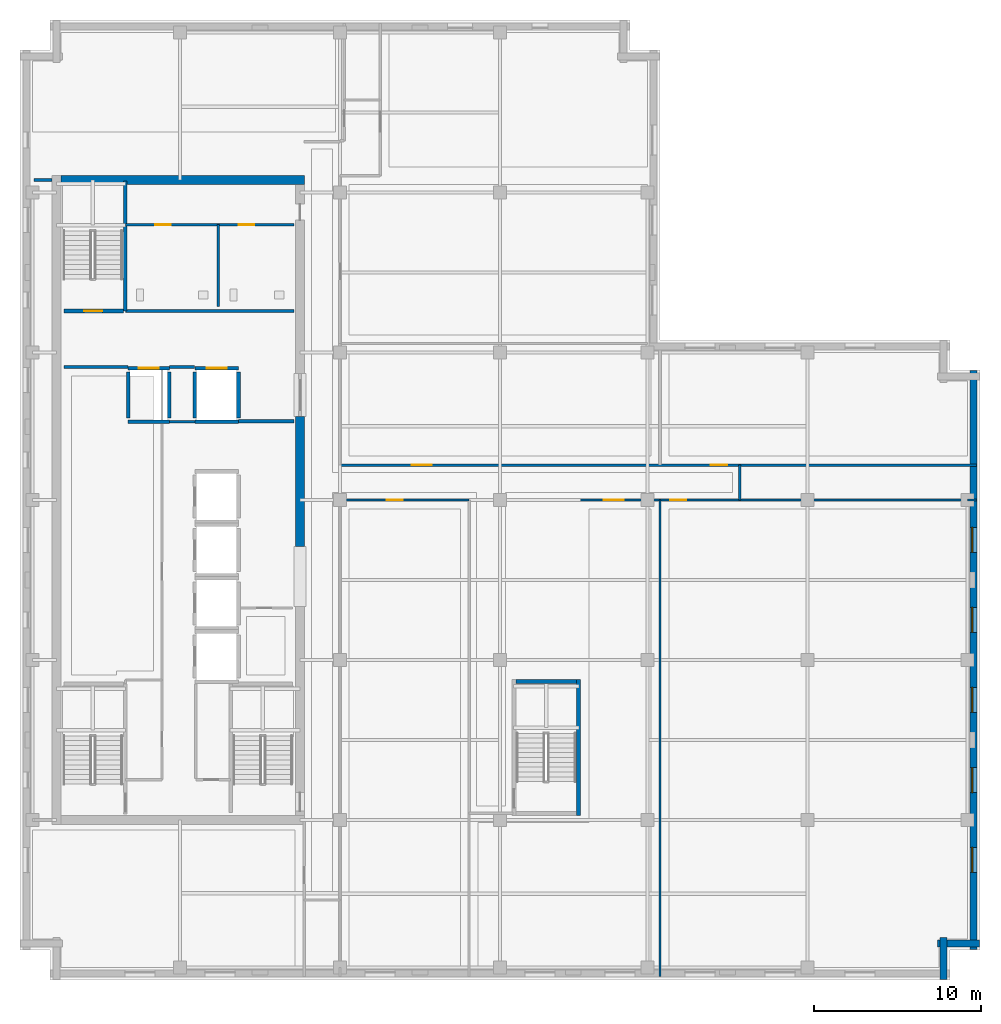
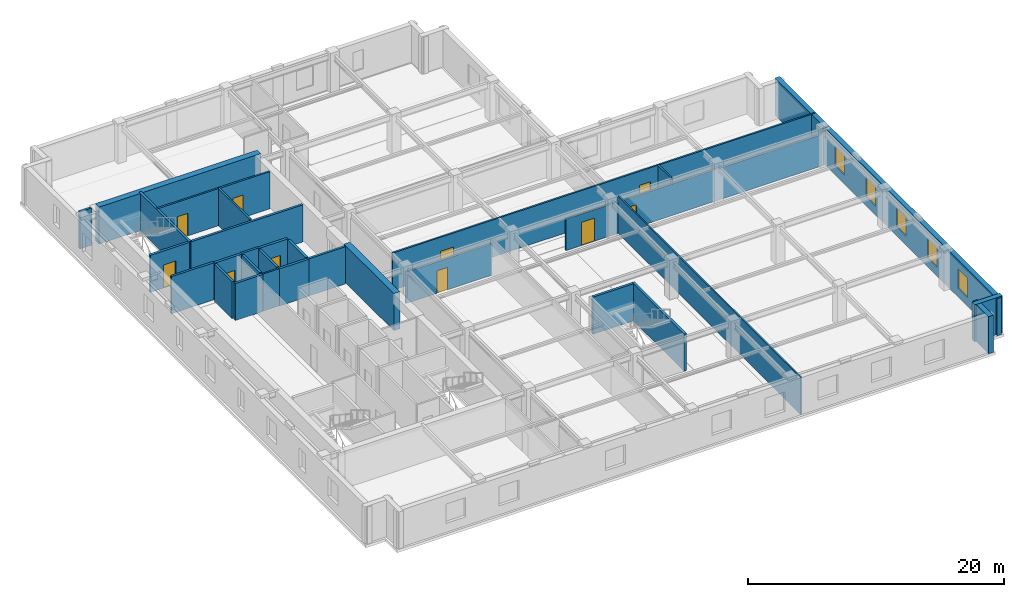
# One storey, part 5 of 12: 31 walls, 10 doors, 5 windows, 15 openings.
"""IFC4 building model written with IfcOpenShell, lengths in metres."""

import ifcopenshell
import ifcopenshell.guid

model = None  # the IFC model being written
_history = None  # IfcOwnerHistory: only IFC2X3 demands one
_inside = {}  # id of a spatial element -> (the spatial element, [elements in it])
_under = {}  # id of a project, library or spatial element -> (it, [spatial elements below it])
_declared = {}  # id of a project -> (the project, [libraries it declares])
_typed = {}  # id of a type object -> (the type object, [elements of that type])
_made_of = {}  # id of a material, layer set ... -> (it, [elements and type objects made of it])


def new_model(schema):
    """Start an empty IFC model of exactly this schema.

    Asked for "IFC4X3", IfcOpenShell would pick the latest addendum, in which some entities
    have other attributes; the version numbers below select the first issue.
    IFC2X3 requires an IfcOwnerHistory on every rooted entity: one is made here for all.
    """
    global model, _history
    if schema == "IFC4X3":
        model = ifcopenshell.file(schema_version=(4, 3, 0, 0))
    else:
        model = ifcopenshell.file(schema=schema)
    _inside.clear()
    _under.clear()
    _declared.clear()
    _typed.clear()
    _made_of.clear()
    _history = None
    if model.schema == "IFC2X3":
        org = make("IfcOrganization", Name="unknown")
        user = make(
            "IfcPersonAndOrganization",
            ThePerson=make("IfcPerson", FamilyName="unknown"),
            TheOrganization=org,
        )
        app = make(
            "IfcApplication",
            ApplicationDeveloper=org,
            Version="unknown",
            ApplicationFullName="unknown",
            ApplicationIdentifier="unknown",
        )
        _history = make(
            "IfcOwnerHistory",
            OwningUser=user,
            OwningApplication=app,
            ChangeAction="ADDED",
            CreationDate=0,
        )
    return model


def make(cls, **values):
    """One entity of the class cls with the attributes given. An attribute that is None is left unset."""
    return model.create_entity(
        cls, **{name: value for name, value in values.items() if value is not None}
    )


def rooted(cls, **values):
    """An entity with a GlobalId (a new one), such as an element, a storey or a relation."""
    return make(cls, GlobalId=ifcopenshell.guid.new(), OwnerHistory=_history, **values)


def si_unit(unit_type, name, prefix=None):
    """IfcSIUnit, for example si_unit("LENGTHUNIT", "METRE", prefix="MILLI")."""
    return make("IfcSIUnit", UnitType=unit_type, Prefix=prefix, Name=name)


def assignment(units):
    """IfcUnitAssignment: the units of a project."""
    return None if units is None else make("IfcUnitAssignment", Units=units)


def point(xyz):
    """IfcCartesianPoint."""
    return None if xyz is None else make("IfcCartesianPoint", Coordinates=xyz)


def direction(xyz):
    """IfcDirection."""
    return None if xyz is None else make("IfcDirection", DirectionRatios=xyz)


def frame(location, z_axis=None, x_axis=None):
    """IfcAxis2Placement3D, a coordinate frame: its origin and axes. An axis left out is left unset."""
    return make(
        "IfcAxis2Placement3D",
        Location=point(location),
        Axis=direction(z_axis),
        RefDirection=direction(x_axis),
    )


def frame_2d(location, x_axis=None):
    """IfcAxis2Placement2D, a coordinate frame in the plane: its origin and x axis."""
    return make(
        "IfcAxis2Placement2D", Location=point(location), RefDirection=direction(x_axis)
    )


def origin():
    """The frame at (0, 0, 0) with its axes left unset."""
    return frame((0.0, 0.0, 0.0))


def place(relative_to, where):
    """IfcLocalPlacement: puts the frame where relative to a parent placement (None: the world)."""
    return make(
        "IfcLocalPlacement", PlacementRelTo=relative_to, RelativePlacement=where
    )


def context(
    kind, dimensions, precision=None, world=None, true_north=None, identifier=None
):
    """IfcGeometricRepresentationContext, for example the 3D "Model" context."""
    return make(
        "IfcGeometricRepresentationContext",
        ContextIdentifier=identifier,
        ContextType=kind,
        CoordinateSpaceDimension=dimensions,
        Precision=precision,
        WorldCoordinateSystem=world,
        TrueNorth=true_north,
    )


def subcontext(parent, identifier, kind, view, scale=None):
    """IfcGeometricRepresentationSubContext, for example "Body" below "Model"."""
    return make(
        "IfcGeometricRepresentationSubContext",
        ContextIdentifier=identifier,
        ContextType=kind,
        ParentContext=parent,
        TargetScale=scale,
        TargetView=view,
    )


def project(units=None, contexts=None):
    """IfcProject with its units and contexts."""
    return rooted(
        "IfcProject",
        Name="project",
        RepresentationContexts=contexts,
        UnitsInContext=assignment(units),
    )


def spatial(cls, under=None, at=None, **own):
    """A site, building, storey or space (cls), placed at a placement, below another one or the project."""
    s = rooted(cls, ObjectPlacement=at, **own)
    if under is not None:
        _under.setdefault(under.id(), (under, []))[1].append(s)
    return s


def profile(cls, at=None, kind="AREA", **sizes):
    """A parametric profile (cls). Its sizes go by their IFC names, for example OverallWidth=200.0."""
    return make(cls, ProfileType=kind, Position=at, **sizes)


def rectangle(**sizes):
    """IfcRectangleProfileDef."""
    return profile("IfcRectangleProfileDef", **sizes)


def extrude(swept, where, along, depth):
    """IfcExtrudedAreaSolid: the profile swept, set in the frame where, extruded along a direction by depth."""
    return make(
        "IfcExtrudedAreaSolid",
        SweptArea=swept,
        Position=where,
        ExtrudedDirection=direction(along),
        Depth=depth,
    )


def shape(context_of_items, identifier, shape_type, items):
    """IfcShapeRepresentation: the items that make up one representation, for example the "Body"."""
    return make(
        "IfcShapeRepresentation",
        ContextOfItems=context_of_items,
        RepresentationIdentifier=identifier,
        RepresentationType=shape_type,
        Items=items,
    )


def material(Name=None, Category=None):
    """IfcMaterial."""
    return make("IfcMaterial", Name=Name, Category=Category)


def layer(
    of_material, thickness, ventilated=None, Name=None, Category=None, Priority=None
):
    """IfcMaterialLayer: one layer of a wall or slab, of a material (None: an air gap)."""
    return make(
        "IfcMaterialLayer",
        Material=of_material,
        LayerThickness=thickness,
        IsVentilated=ventilated,
        Name=Name,
        Category=Category,
        Priority=Priority,
    )


def layer_set(layers, Name=None):
    """IfcMaterialLayerSet."""
    return make("IfcMaterialLayerSet", MaterialLayers=layers, LayerSetName=Name)


def made_of(thing, what):
    """Note that an element or type object is made of a material, layer set ...; save() writes the relation."""
    if what is not None:
        _made_of.setdefault(what.id(), (what, []))[1].append(thing)
    return thing


def type_object(cls, material=None, **own):
    """A type object (cls), such as IfcWallType, which elements share."""
    return made_of(rooted(cls, **own), material)


def element(
    cls,
    number,
    at=None,
    inside=None,
    cuts=None,
    type_object=None,
    material=None,
    context=None,
    identifier="Body",
    shape_type=None,
    held_by="IfcProductDefinitionShape",
    body=None,
    shapes=None,
    **own,
):
    """One element of the class cls, such as IfcWall. Its Tag is "e" and its number.

    at: its placement. inside: the storey or other place that contains it. cuts: it is an
    opening in that element (IfcRelVoidsElement). A single representation is given by context,
    identifier, shape_type and body (its items); several are given by shapes. held_by: the class
    of the entity that holds the representations. save() writes the other relations.
    """
    e = rooted(cls, Tag="e%d" % number, ObjectPlacement=at, **own)
    if body is not None:
        shapes = [shape(context, identifier, shape_type, body)]
    if shapes is not None:
        e.Representation = make(held_by, Representations=shapes)
    if inside is not None:
        _inside.setdefault(inside.id(), (inside, []))[1].append(e)
    if cuts is not None:
        rooted(
            "IfcRelVoidsElement", RelatingBuildingElement=cuts, RelatedOpeningElement=e
        )
    if type_object is not None:
        _typed.setdefault(type_object.id(), (type_object, []))[1].append(e)
    return made_of(e, material)


def fill(opening, filler):
    """IfcRelFillsElement: the door or window that sits in an opening."""
    return rooted(
        "IfcRelFillsElement",
        RelatingOpeningElement=opening,
        RelatedBuildingElement=filler,
    )


def aggregate(whole, parts):
    """IfcRelAggregates: a whole, such as a stair, and the parts it consists of."""
    return rooted("IfcRelAggregates", RelatingObject=whole, RelatedObjects=parts)


def save(model, path):
    """Write the relations noted so far, then the file.

    IfcRelAggregates (storeys below a building ...), IfcRelContainedInSpatialStructure (elements
    in a storey), IfcRelDefinesByType, IfcRelAssociatesMaterial and IfcRelDeclares: one each for
    every whole, place, type object, material and project.
    """
    for whole, parts in _under.values():
        aggregate(whole, parts)
    for where, things in _inside.values():
        rooted(
            "IfcRelContainedInSpatialStructure",
            RelatedElements=things,
            RelatingStructure=where,
        )
    for kind, things in _typed.values():
        rooted("IfcRelDefinesByType", RelatedObjects=things, RelatingType=kind)
    for what, things in _made_of.values():
        rooted("IfcRelAssociatesMaterial", RelatedObjects=things, RelatingMaterial=what)
    for by, libraries in _declared.values():
        rooted("IfcRelDeclares", RelatingContext=by, RelatedDefinitions=libraries)
    model.write(path)


model = new_model("IFC4")

# Units and contexts
model_context = context("Model", 3, precision=1e-05, world=origin(), true_north=direction((0.0, 1.0)))
body_context = subcontext(model_context, "Body", "Model", "MODEL_VIEW")
ifc_project = project(units=[si_unit("LENGTHUNIT", "METRE"), si_unit("AREAUNIT", "SQUARE_METRE"), si_unit("VOLUMEUNIT", "CUBIC_METRE"), si_unit("PLANEANGLEUNIT", "RADIAN"), si_unit("MASSUNIT", "GRAM", prefix="KILO")], contexts=[model_context])

# Site, building, storey
site_placement = place(None, origin())
site = spatial("IfcSite", under=ifc_project, at=site_placement, CompositionType="ELEMENT")
building_placement = place(site_placement, origin())
building = spatial("IfcBuilding", under=site, at=building_placement, Name="Norrvale University Quadrangle", CompositionType="ELEMENT")
storey_placement = place(building_placement, frame((0.0, 0.0, 244.60009765625)))
storey = spatial("IfcBuildingStorey", under=building, at=storey_placement, Name="L62", CompositionType="ELEMENT", Elevation=244.60009765625)

# Walls
ifc_material_1 = material(Name="Buff Norman Clay Brick Masonry", Category="masonry")
ifc_layer_1 = layer(ifc_material_1, 0.419921875, Name="Buff Norman Clay Brick Masonry")
ifc_layer_set_1 = layer_set([ifc_layer_1], Name="Buff Norman Clay Brick Masonry")
wall_type_1 = type_object("IfcWallType", Name="Wall Buff Brick 420", PredefinedType="SOLIDWALL", material=ifc_layer_set_1)
for number, where, z_axis, x_axis, name in (
    (1, (55.409912109375, 0.0400390625, 0.0), (0.0, 0.0, 1.0), (0.0, 1.0, 0.0), "Exterior Brick Facade Wall L62-02.1"),
    (2, (55.06005859375, 2.18994140625, 0.0), (0.0, 0.0, 1.0), (1.0, 0.0, 0.0), "Exterior Brick Facade Wall L62-03.1"),
):
    element("IfcWall", number, at=place(storey_placement, frame(where, z_axis=z_axis, x_axis=x_axis)), inside=storey, type_object=wall_type_1, Name=name, PredefinedType="SOLIDWALL", context=body_context, shape_type="SweptSolid", body=[
        extrude(rectangle(XDim=2.5, YDim=0.419921875, at=frame_2d((1.25, 0.0))), origin(), (0.0, 0.0, 1.0), 3.539794921875),
    ])

# Wall, openings, windows
wall_1_placement = place(storey_placement, frame((57.2099609375, 1.840087890625, 0.0), z_axis=(0.0, 0.0, 1.0), x_axis=(0.0, 1.0, 0.0)))
wall_1 = element("IfcWall", 3, at=wall_1_placement, inside=storey, type_object=wall_type_1, Name="Exterior Brick Facade Wall L62-04.1", PredefinedType="SOLIDWALL", context=body_context, shape_type="SweptSolid", body=[
    extrude(rectangle(XDim=34.719970703125, YDim=0.419921875, at=frame_2d((17.35986328125, 0.0))), origin(), (0.0, 0.0, 1.0), 3.539794921875),
])
opening_1_placement = place(wall_1_placement, frame((4.610107421875, 0.0, 0.85009765625)))
opening_1 = element("IfcOpeningElement", 4, at=opening_1_placement, cuts=wall_1, Name="Opening W03", PredefinedType="OPENING", context=body_context, shape_type="SweptSolid", body=[
    extrude(rectangle(XDim=1.5, YDim=1.85009765625, at=frame_2d((0.75, 0.925048828125))), frame((0.0, 0.221923828125, 0.0), z_axis=(0.0, -1.0, 0.0), x_axis=(1.0, 0.0, 0.0)), (0.0, 0.0, 1.0), 0.44384765625),
])
opening_2_placement = place(wall_1_placement, frame((9.409912109375, 0.0, 0.85009765625)))
opening_2 = element("IfcOpeningElement", 5, at=opening_2_placement, cuts=wall_1, Name="Opening W03", PredefinedType="OPENING", context=body_context, shape_type="SweptSolid", body=[
    extrude(rectangle(XDim=1.5, YDim=1.85009765625, at=frame_2d((0.75, 0.925048828125))), frame((0.0, 0.221923828125, 0.0), z_axis=(0.0, -1.0, 0.0), x_axis=(1.0, 0.0, 0.0)), (0.0, 0.0, 1.0), 0.44384765625),
])
opening_3_placement = place(wall_1_placement, frame((14.2099609375, 0.0, 0.85009765625)))
opening_3 = element("IfcOpeningElement", 6, at=opening_3_placement, cuts=wall_1, Name="Opening W03", PredefinedType="OPENING", context=body_context, shape_type="SweptSolid", body=[
    extrude(rectangle(XDim=1.5, YDim=1.85009765625, at=frame_2d((0.75, 0.925048828125))), frame((0.0, 0.221923828125, 0.0), z_axis=(0.0, -1.0, 0.0), x_axis=(1.0, 0.0, 0.0)), (0.0, 0.0, 1.0), 0.44384765625),
])
opening_4_placement = place(wall_1_placement, frame((19.010009765625, 0.0, 0.85009765625)))
opening_4 = element("IfcOpeningElement", 7, at=opening_4_placement, cuts=wall_1, Name="Opening W03", PredefinedType="OPENING", context=body_context, shape_type="SweptSolid", body=[
    extrude(rectangle(XDim=1.5, YDim=1.85009765625, at=frame_2d((0.75, 0.925048828125))), frame((0.0, 0.221923828125, 0.0), z_axis=(0.0, -1.0, 0.0), x_axis=(1.0, 0.0, 0.0)), (0.0, 0.0, 1.0), 0.44384765625),
])
opening_5_placement = place(wall_1_placement, frame((23.81005859375, 0.0, 0.85009765625)))
opening_5 = element("IfcOpeningElement", 8, at=opening_5_placement, cuts=wall_1, Name="Opening W03", PredefinedType="OPENING", context=body_context, shape_type="SweptSolid", body=[
    extrude(rectangle(XDim=1.5, YDim=1.85009765625, at=frame_2d((0.75, 0.925048828125))), frame((0.0, 0.221923828125, 0.0), z_axis=(0.0, -1.0, 0.0), x_axis=(1.0, 0.0, 0.0)), (0.0, 0.0, 1.0), 0.44384765625),
])
ifc_material_2 = material(Name="Triple Low-E Argon Glazing", Category="glass")
window_type = type_object("IfcWindowType", Name="Window Studio 1500x2300", PartitioningType="DOUBLE_PANEL_VERTICAL", PredefinedType="WINDOW", material=ifc_material_2)
window_1_placement = place(opening_1_placement, origin())
window_1 = element("IfcWindow", 9, at=window_1_placement, inside=storey, type_object=window_type, Name="Window Studio 1500x2300 WIN-L62-E04-1-01", OverallHeight=1.85009765625, OverallWidth=1.5, PartitioningType="DOUBLE_PANEL_VERTICAL", PredefinedType="WINDOW", context=body_context, shape_type="SweptSolid", body=[
    extrude(rectangle(XDim=1.5, YDim=1.85009765625, at=frame_2d((0.75, 0.925048828125))), frame((0.0, 0.110107421875, 0.0), z_axis=(0.0, -1.0, 0.0), x_axis=(1.0, 0.0, 0.0)), (0.0, 0.0, 1.0), 0.06005859375),
])
fill(opening_1, window_1)
window_2_placement = place(opening_2_placement, origin())
window_2 = element("IfcWindow", 10, at=window_2_placement, inside=storey, type_object=window_type, Name="Window Studio 1500x2300 WIN-L62-E04-1-02", OverallHeight=1.85009765625, OverallWidth=1.5, PartitioningType="DOUBLE_PANEL_VERTICAL", PredefinedType="WINDOW", context=body_context, shape_type="SweptSolid", body=[
    extrude(rectangle(XDim=1.5, YDim=1.85009765625, at=frame_2d((0.75, 0.925048828125))), frame((0.0, 0.110107421875, 0.0), z_axis=(0.0, -1.0, 0.0), x_axis=(1.0, 0.0, 0.0)), (0.0, 0.0, 1.0), 0.06005859375),
])
fill(opening_2, window_2)
window_3_placement = place(opening_3_placement, origin())
window_3 = element("IfcWindow", 11, at=window_3_placement, inside=storey, type_object=window_type, Name="Window Studio 1500x2300 WIN-L62-E04-1-03", OverallHeight=1.85009765625, OverallWidth=1.5, PartitioningType="DOUBLE_PANEL_VERTICAL", PredefinedType="WINDOW", context=body_context, shape_type="SweptSolid", body=[
    extrude(rectangle(XDim=1.5, YDim=1.85009765625, at=frame_2d((0.75, 0.925048828125))), frame((0.0, 0.110107421875, 0.0), z_axis=(0.0, -1.0, 0.0), x_axis=(1.0, 0.0, 0.0)), (0.0, 0.0, 1.0), 0.06005859375),
])
fill(opening_3, window_3)
window_4_placement = place(opening_4_placement, origin())
window_4 = element("IfcWindow", 12, at=window_4_placement, inside=storey, type_object=window_type, Name="Window Studio 1500x2300 WIN-L62-E04-1-04", OverallHeight=1.85009765625, OverallWidth=1.5, PartitioningType="DOUBLE_PANEL_VERTICAL", PredefinedType="WINDOW", context=body_context, shape_type="SweptSolid", body=[
    extrude(rectangle(XDim=1.5, YDim=1.85009765625, at=frame_2d((0.75, 0.925048828125))), frame((0.0, 0.110107421875, 0.0), z_axis=(0.0, -1.0, 0.0), x_axis=(1.0, 0.0, 0.0)), (0.0, 0.0, 1.0), 0.06005859375),
])
fill(opening_4, window_4)
window_5_placement = place(opening_5_placement, origin())
window_5 = element("IfcWindow", 13, at=window_5_placement, inside=storey, type_object=window_type, Name="Window Studio 1500x2300 WIN-L62-E04-1-05", OverallHeight=1.85009765625, OverallWidth=1.5, PartitioningType="DOUBLE_PANEL_VERTICAL", PredefinedType="WINDOW", context=body_context, shape_type="SweptSolid", body=[
    extrude(rectangle(XDim=1.5, YDim=1.85009765625, at=frame_2d((0.75, 0.925048828125))), frame((0.0, 0.110107421875, 0.0), z_axis=(0.0, -1.0, 0.0), x_axis=(1.0, 0.0, 0.0)), (0.0, 0.0, 1.0), 0.06005859375),
])
fill(opening_5, window_5)

# Walls
ifc_material_3 = material(Name="Concrete C60/75", Category="concrete")
ifc_layer_2 = layer(ifc_material_3, 0.550048828125, Name="Concrete C60/75")
ifc_layer_set_2 = layer_set([ifc_layer_2], Name="Concrete C60/75")
wall_type_2 = type_object("IfcWallType", Name="Wall Core 550", PredefinedType="SHEAR", material=ifc_layer_set_2)
wall_2_placement = place(storey_placement, frame((2.47509765625, 48.0, 0.0), z_axis=(0.0, 0.0, 1.0), x_axis=(1.0, 0.0, 0.0)))
element("IfcWall", 14, at=wall_2_placement, inside=storey, type_object=wall_type_2, Name="Tower Core Shear Wall L62-N", PredefinedType="SHEAR", context=body_context, shape_type="SweptSolid", body=[
    extrude(rectangle(XDim=14.599853515625, YDim=0.550048828125, at=frame_2d((7.2998046875, 0.0))), origin(), (0.0, 0.0, 1.0), 3.539794921875),
])
wall_3_placement = place(storey_placement, frame((16.800048828125, 26.0, 0.0), z_axis=(0.0, 0.0, 1.0), x_axis=(0.0, 1.0, 0.0)))
element("IfcWall", 15, at=wall_3_placement, inside=storey, type_object=wall_type_2, Name="Tower Core Shear Wall L62-E2", PredefinedType="SHEAR", context=body_context, shape_type="SweptSolid", body=[
    extrude(rectangle(XDim=7.800048828125, YDim=0.550048828125, at=frame_2d((3.89990234375, 0.0))), origin(), (0.0, 0.0, 1.0), 3.539794921875),
])
ifc_material_4 = material(Name="Standard Academic Gypsum Partition")
ifc_layer_3 = layer(ifc_material_4, 0.125, Name="Standard Academic Gypsum Partition")
ifc_layer_set_3 = layer_set([ifc_layer_3], Name="Standard Academic Gypsum Partition")
wall_type_3 = type_object("IfcWallType", Name="Wall Gypsum Academic 125", PredefinedType="PARTITIONING", material=ifc_layer_set_3)
wall_4_placement = place(storey_placement, frame((38.39990234375, 0.219970703125, 0.0), z_axis=(0.0, 0.0, 1.0), x_axis=(0.0, 1.0, 0.0)))
element("IfcWall", 16, at=wall_4_placement, inside=storey, type_object=wall_type_3, Name="Interior Partition WL-L62-SEP2", PredefinedType="PARTITIONING", context=body_context, shape_type="SweptSolid", body=[
    extrude(rectangle(XDim=28.580078125, YDim=0.125, at=frame_2d((14.2900390625, 0.0))), origin(), (0.0, 0.0, 1.0), 3.539794921875),
])
ifc_material_5 = material(Name="Fire-Rated Gypsum Stud Partition")
ifc_layer_4 = layer(ifc_material_5, 0.14990234375, Name="Fire-Rated Gypsum Stud Partition")
ifc_layer_set_4 = layer_set([ifc_layer_4], Name="Fire-Rated Gypsum Stud Partition")
wall_type_4 = type_object("IfcWallType", Name="Wall Gypsum Corridor 150", PredefinedType="PARTITIONING", material=ifc_layer_set_4)
wall_5_placement = place(storey_placement, frame((8.965087890625, 33.489990234375, 0.0), z_axis=(0.0, 0.0, 1.0), x_axis=(1.0, 0.0, 0.0)))
element("IfcWall", 17, at=wall_5_placement, inside=storey, type_object=wall_type_4, Name="Interior Partition WL-L62-LL3", PredefinedType="PARTITIONING", context=body_context, shape_type="SweptSolid", body=[
    extrude(rectangle(XDim=1.52001953125, YDim=0.14990234375, at=frame_2d((0.760009765625, 0.0))), origin(), (0.0, 0.0, 1.0), 3.539794921875),
])
wall_6_placement = place(storey_placement, frame((43.199951171875, 28.800048828125, 0.0), z_axis=(0.0, 0.0, 1.0), x_axis=(0.0, 1.0, 0.0)))
element("IfcWall", 18, at=wall_6_placement, inside=storey, type_object=wall_type_4, Name="Interior Partition WL-L62-CESP-E", PredefinedType="PARTITIONING", context=body_context, shape_type="SweptSolid", body=[
    extrude(rectangle(XDim=2.099853515625, YDim=0.14990234375, at=frame_2d((1.0498046875, 0.0))), origin(), (0.0, 0.0, 1.0), 3.539794921875),
])

# Wall, opening, door
wall_7_placement = place(storey_placement, frame((19.199951171875, 28.800048828125, 0.0), z_axis=(0.0, 0.0, 1.0), x_axis=(1.0, 0.0, 0.0)))
wall_7 = element("IfcWall", 19, at=wall_7_placement, inside=storey, type_object=wall_type_4, Name="Interior Partition WL-L62-SEW1", PredefinedType="PARTITIONING", context=body_context, shape_type="SweptSolid", body=[
    extrude(rectangle(XDim=7.75, YDim=0.14990234375, at=frame_2d((3.875, 0.0))), origin(), (0.0, 0.0, 1.0), 3.0068359375),
])
opening_6_placement = place(wall_7_placement, frame((2.800048828125, 0.0, 0.0)))
opening_6 = element("IfcOpeningElement", 20, at=opening_6_placement, cuts=wall_7, Name="Opening D07", PredefinedType="OPENING", context=body_context, shape_type="SweptSolid", body=[
    extrude(rectangle(XDim=0.949951171875, YDim=2.14990234375, at=frame_2d((0.47509765625, 1.074951171875))), frame((0.0, 0.0869140625, 0.0), z_axis=(0.0, -1.0, 0.0), x_axis=(1.0, 0.0, 0.0)), (0.0, 0.0, 1.0), 0.173828125),
])
ifc_material_6 = material(Name="Solid-Core Maple Door", Category="wood")
door_type_1 = type_object("IfcDoorType", Name="Door Office 950x2150", OperationType="NOTDEFINED", PredefinedType="DOOR", material=ifc_material_6)
door_1_placement = place(opening_6_placement, origin())
door_1 = element("IfcDoor", 21, at=door_1_placement, inside=storey, type_object=door_type_1, Name="Door Office 950x2150 DR-L62-SE1", OperationType="SINGLE_SWING_LEFT", OverallHeight=2.14990234375, OverallWidth=0.949951171875, PredefinedType="DOOR", context=body_context, shape_type="SweptSolid", body=[
    extrude(rectangle(XDim=0.949951171875, YDim=2.14990234375, at=frame_2d((0.47509765625, 1.074951171875))), frame((0.0, 0.02490234375, 0.0), z_axis=(0.0, -1.0, 0.0), x_axis=(1.0, 0.0, 0.0)), (0.0, 0.0, 1.0), 0.050048828125),
])
fill(opening_6, door_1)

# Wall, openings, doors
wall_8_placement = place(storey_placement, frame((33.6201171875, 28.800048828125, 0.0), z_axis=(0.0, 0.0, 1.0), x_axis=(1.0, 0.0, 0.0)))
wall_8 = element("IfcWall", 22, at=wall_8_placement, inside=storey, type_object=wall_type_4, Name="Interior Partition WL-L62-SEW2", PredefinedType="PARTITIONING", context=body_context, shape_type="SweptSolid", body=[
    extrude(rectangle(XDim=23.22998046875, YDim=0.14990234375, at=frame_2d((11.614990234375, 0.0))), origin(), (0.0, 0.0, 1.0), 3.0068359375),
])
opening_7_placement = place(wall_8_placement, frame((1.39990234375, 0.0, 0.0)))
opening_7 = element("IfcOpeningElement", 23, at=opening_7_placement, cuts=wall_8, Name="Opening D05", PredefinedType="OPENING", context=body_context, shape_type="SweptSolid", body=[
    extrude(rectangle(XDim=1.199951171875, YDim=2.199951171875, at=frame_2d((0.60009765625, 1.10009765625))), frame((0.0, 0.0869140625, 0.0), z_axis=(0.0, -1.0, 0.0), x_axis=(1.0, 0.0, 0.0)), (0.0, 0.0, 1.0), 0.173828125),
])
opening_8_placement = place(wall_8_placement, frame((5.39990234375, 0.0, 0.0)))
opening_8 = element("IfcOpeningElement", 24, at=opening_8_placement, cuts=wall_8, Name="Opening D07", PredefinedType="OPENING", context=body_context, shape_type="SweptSolid", body=[
    extrude(rectangle(XDim=0.949951171875, YDim=2.14990234375, at=frame_2d((0.47509765625, 1.074951171875))), frame((0.0, 0.0869140625, 0.0), z_axis=(0.0, -1.0, 0.0), x_axis=(1.0, 0.0, 0.0)), (0.0, 0.0, 1.0), 0.173828125),
])
ifc_material_7 = material(Name="Acoustic Oak Classroom Door", Category="wood")
door_type_2 = type_object("IfcDoorType", Name="Door Classroom 1200x2200", OperationType="NOTDEFINED", PredefinedType="DOOR", material=ifc_material_7)
door_2_placement = place(opening_7_placement, origin())
door_2 = element("IfcDoor", 25, at=door_2_placement, inside=storey, type_object=door_type_2, Name="Door Classroom 1200x2200 DR-L62-SE2", OperationType="SINGLE_SWING_RIGHT", OverallHeight=2.199951171875, OverallWidth=1.199951171875, PredefinedType="DOOR", context=body_context, shape_type="SweptSolid", body=[
    extrude(rectangle(XDim=1.199951171875, YDim=2.199951171875, at=frame_2d((0.60009765625, 1.10009765625))), frame((0.0, 0.02490234375, 0.0), z_axis=(0.0, -1.0, 0.0), x_axis=(1.0, 0.0, 0.0)), (0.0, 0.0, 1.0), 0.050048828125),
])
fill(opening_7, door_2)
door_3_placement = place(opening_8_placement, origin())
door_3 = element("IfcDoor", 26, at=door_3_placement, inside=storey, type_object=door_type_1, Name="Door Office 950x2150 DR-L62-SE3", OperationType="SINGLE_SWING_LEFT", OverallHeight=2.14990234375, OverallWidth=0.949951171875, PredefinedType="DOOR", context=body_context, shape_type="SweptSolid", body=[
    extrude(rectangle(XDim=0.949951171875, YDim=2.14990234375, at=frame_2d((0.47509765625, 1.074951171875))), frame((0.0, 0.02490234375, 0.0), z_axis=(0.0, -1.0, 0.0), x_axis=(1.0, 0.0, 0.0)), (0.0, 0.0, 1.0), 0.050048828125),
])
fill(opening_8, door_3)

# Wall
wall_9_placement = place(storey_placement, frame((56.85009765625, 28.800048828125, 0.0), z_axis=(0.0, 0.0, 1.0), x_axis=(1.0, 0.0, 0.0)))
element("IfcWall", 27, at=wall_9_placement, inside=storey, type_object=wall_type_4, Name="Interior Partition WL-L62-SEW2-B2", PredefinedType="PARTITIONING", context=body_context, shape_type="SweptSolid", body=[
    extrude(rectangle(XDim=0.52978515625, YDim=0.14990234375, at=frame_2d((0.264892578125, 0.0))), origin(), (0.0, 0.0, 1.0), 3.539794921875),
])

# Wall, openings, doors
wall_10_placement = place(storey_placement, frame((19.199951171875, 30.89990234375, 0.0), z_axis=(0.0, 0.0, 1.0), x_axis=(1.0, 0.0, 0.0)))
wall_10 = element("IfcWall", 28, at=wall_10_placement, inside=storey, type_object=wall_type_4, Name="Interior Partition WL-L62-MECW", PredefinedType="PARTITIONING", context=body_context, shape_type="SweptSolid", body=[
    extrude(rectangle(XDim=38.179931640625, YDim=0.14990234375, at=frame_2d((19.08984375, 0.0))), origin(), (0.0, 0.0, 1.0), 3.539794921875),
])
opening_9_placement = place(wall_10_placement, frame((4.300048828125, 0.0, 0.0)))
opening_9 = element("IfcOpeningElement", 29, at=opening_9_placement, cuts=wall_10, Name="Opening D05", PredefinedType="OPENING", context=body_context, shape_type="SweptSolid", body=[
    extrude(rectangle(XDim=1.199951171875, YDim=2.199951171875, at=frame_2d((0.60009765625, 1.10009765625))), frame((0.0, 0.0869140625, 0.0), z_axis=(0.0, -1.0, 0.0), x_axis=(1.0, 0.0, 0.0)), (0.0, 0.0, 1.0), 0.173828125),
])
opening_10_placement = place(wall_10_placement, frame((22.25, 0.0, 0.0)))
opening_10 = element("IfcOpeningElement", 30, at=opening_10_placement, cuts=wall_10, Name="Opening D04", PredefinedType="OPENING", context=body_context, shape_type="SweptSolid", body=[
    extrude(rectangle(XDim=1.0, YDim=2.199951171875, at=frame_2d((0.5, 1.10009765625))), frame((0.0, 0.0869140625, 0.0), z_axis=(0.0, -1.0, 0.0), x_axis=(1.0, 0.0, 0.0)), (0.0, 0.0, 1.0), 0.173828125),
])
door_4_placement = place(opening_9_placement, origin())
door_4 = element("IfcDoor", 31, at=door_4_placement, inside=storey, type_object=door_type_2, Name="Door Classroom 1200x2200 DR-L62-ME01", OperationType="SINGLE_SWING_LEFT", OverallHeight=2.199951171875, OverallWidth=1.199951171875, PredefinedType="DOOR", context=body_context, shape_type="SweptSolid", body=[
    extrude(rectangle(XDim=1.199951171875, YDim=2.199951171875, at=frame_2d((0.60009765625, 1.10009765625))), frame((0.0, 0.02490234375, 0.0), z_axis=(0.0, -1.0, 0.0), x_axis=(1.0, 0.0, 0.0)), (0.0, 0.0, 1.0), 0.050048828125),
])
fill(opening_9, door_4)
ifc_material_8 = material(Name="Solid-Core Oak Fire Door", Category="wood")
door_type_3 = type_object("IfcDoorType", Name="Door Corridor 1000x2200", OperationType="NOTDEFINED", PredefinedType="DOOR", material=ifc_material_8)
door_5_placement = place(opening_10_placement, origin())
door_5 = element("IfcDoor", 32, at=door_5_placement, inside=storey, type_object=door_type_3, Name="Door Corridor 1000x2200 DR-L62-ME02", OperationType="SINGLE_SWING_RIGHT", OverallHeight=2.199951171875, OverallWidth=1.0, PredefinedType="DOOR", context=body_context, shape_type="SweptSolid", body=[
    extrude(rectangle(XDim=1.0, YDim=2.199951171875, at=frame_2d((0.5, 1.10009765625))), frame((0.0, 0.02490234375, 0.0), z_axis=(0.0, -1.0, 0.0), x_axis=(1.0, 0.0, 0.0)), (0.0, 0.0, 1.0), 0.050048828125),
])
fill(opening_10, door_5)

ifc_material_9 = material(Name="Sanitary Chase Gypsum Partition")
ifc_layer_5 = layer(ifc_material_9, 0.1650390625, Name="Sanitary Chase Gypsum Partition")
ifc_layer_set_5 = layer_set([ifc_layer_5], Name="Sanitary Chase Gypsum Partition")
wall_type_5 = type_object("IfcWallType", Name="Wall Gypsum Sanitary 165", PredefinedType="PLUMBINGWALL", material=ifc_layer_set_5)
wall_11_placement = place(storey_placement, frame((6.320068359375, 45.320068359375, 0.0), z_axis=(0.0, 0.0, 1.0), x_axis=(1.0, 0.0, 0.0)))
wall_11 = element("IfcWall", 33, at=wall_11_placement, inside=storey, type_object=wall_type_5, Name="Interior Partition WL-L62-WCN", PredefinedType="PLUMBINGWALL", context=body_context, shape_type="SweptSolid", body=[
    extrude(rectangle(XDim=10.1298828125, YDim=0.1650390625, at=frame_2d((5.06494140625, 0.0))), origin(), (0.0, 0.0, 1.0), 3.539794921875),
])
opening_11_placement = place(wall_11_placement, frame((1.800048828125, 0.0, 0.0)))
opening_11 = element("IfcOpeningElement", 34, at=opening_11_placement, cuts=wall_11, Name="Opening D08", PredefinedType="OPENING", context=body_context, shape_type="SweptSolid", body=[
    extrude(rectangle(XDim=0.919921875, YDim=2.14990234375, at=frame_2d((0.4599609375, 1.074951171875))), frame((0.0, 0.094482421875, 0.0), z_axis=(0.0, -1.0, 0.0), x_axis=(1.0, 0.0, 0.0)), (0.0, 0.0, 1.0), 0.18896484375),
])
opening_12_placement = place(wall_11_placement, frame((6.800048828125, 0.0, 0.0)))
opening_12 = element("IfcOpeningElement", 35, at=opening_12_placement, cuts=wall_11, Name="Opening D08", PredefinedType="OPENING", context=body_context, shape_type="SweptSolid", body=[
    extrude(rectangle(XDim=0.919921875, YDim=2.14990234375, at=frame_2d((0.4599609375, 1.074951171875))), frame((0.0, 0.094482421875, 0.0), z_axis=(0.0, -1.0, 0.0), x_axis=(1.0, 0.0, 0.0)), (0.0, 0.0, 1.0), 0.18896484375),
])
ifc_material_10 = material(Name="Laminate Washroom Door", Category="wood")
door_type_4 = type_object("IfcDoorType", Name="Door Washroom 920x2150", OperationType="NOTDEFINED", PredefinedType="DOOR", material=ifc_material_10)
door_6_placement = place(opening_11_placement, origin())
door_6 = element("IfcDoor", 36, at=door_6_placement, inside=storey, type_object=door_type_4, Name="Door Washroom 920x2150 DR-L62-WC1", OperationType="SINGLE_SWING_LEFT", OverallHeight=2.14990234375, OverallWidth=0.919921875, PredefinedType="DOOR", context=body_context, shape_type="SweptSolid", body=[
    extrude(rectangle(XDim=0.919921875, YDim=2.14990234375, at=frame_2d((0.4599609375, 1.074951171875))), frame((0.0, 0.02490234375, 0.0), z_axis=(0.0, -1.0, 0.0), x_axis=(1.0, 0.0, 0.0)), (0.0, 0.0, 1.0), 0.050048828125),
])
fill(opening_11, door_6)
door_7_placement = place(opening_12_placement, origin())
door_7 = element("IfcDoor", 37, at=door_7_placement, inside=storey, type_object=door_type_4, Name="Door Washroom 920x2150 DR-L62-WC2", OperationType="SINGLE_SWING_RIGHT", OverallHeight=2.14990234375, OverallWidth=0.919921875, PredefinedType="DOOR", context=body_context, shape_type="SweptSolid", body=[
    extrude(rectangle(XDim=0.919921875, YDim=2.14990234375, at=frame_2d((0.4599609375, 1.074951171875))), frame((0.0, 0.02490234375, 0.0), z_axis=(0.0, -1.0, 0.0), x_axis=(1.0, 0.0, 0.0)), (0.0, 0.0, 1.0), 0.050048828125),
])
fill(opening_12, door_7)

# Walls
wall_12_placement = place(storey_placement, frame((11.89990234375, 40.39990234375, 0.0), z_axis=(0.0, 0.0, 1.0), x_axis=(0.0, 1.0, 0.0)))
element("IfcWall", 38, at=wall_12_placement, inside=storey, type_object=wall_type_5, Name="Interior Partition WL-L62-WCM1", PredefinedType="PLUMBINGWALL", context=body_context, shape_type="SweptSolid", body=[
    extrude(rectangle(XDim=4.920166015625, YDim=0.1650390625, at=frame_2d((2.4599609375, 0.0))), origin(), (0.0, 0.0, 1.0), 3.539794921875),
])
ifc_material_11 = material(Name="Concrete Blockwork 20 MPa Rated Wall", Category="masonry")
ifc_layer_6 = layer(ifc_material_11, 0.199951171875, Name="Concrete Blockwork 20 MPa Rated Wall")
ifc_layer_set_6 = layer_set([ifc_layer_6], Name="Concrete Blockwork 20 MPa Rated Wall")
wall_type_6 = type_object("IfcWallType", Name="Wall Lobby 200", PredefinedType="SOLIDWALL", material=ifc_layer_set_6)
wall_13_placement = place(storey_placement, frame((2.64990234375, 36.780029296875, 0.0), z_axis=(0.0, 0.0, 1.0), x_axis=(1.0, 0.0, 0.0)))
element("IfcWall", 39, at=wall_13_placement, inside=storey, type_object=wall_type_6, Name="Interior Partition WL-L62-FF1", PredefinedType="SOLIDWALL", context=body_context, shape_type="SweptSolid", body=[
    extrude(rectangle(XDim=3.830078125, YDim=0.199951171875, at=frame_2d((1.9150390625, 0.0))), origin(), (0.0, 0.0, 1.0), 3.539794921875),
])
wall_14_placement = place(storey_placement, frame((8.969970703125, 36.780029296875, 0.0), z_axis=(0.0, 0.0, 1.0), x_axis=(1.0, 0.0, 0.0)))
element("IfcWall", 40, at=wall_14_placement, inside=storey, type_object=wall_type_6, Name="Interior Partition WL-L62-FF2", PredefinedType="SOLIDWALL", context=body_context, shape_type="SweptSolid", body=[
    extrude(rectangle(XDim=1.510009765625, YDim=0.199951171875, at=frame_2d((0.7548828125, 0.0))), origin(), (0.0, 0.0, 1.0), 3.539794921875),
])
wall_15_placement = place(storey_placement, frame((13.1201171875, 33.52001953125, 0.0), z_axis=(0.0, 0.0, 1.0), x_axis=(1.0, 0.0, 0.0)))
element("IfcWall", 41, at=wall_15_placement, inside=storey, type_object=wall_type_6, Name="Interior Partition WL-L62-FF3", PredefinedType="SOLIDWALL", context=body_context, shape_type="SweptSolid", body=[
    extrude(rectangle(XDim=3.329833984375, YDim=0.199951171875, at=frame_2d((1.6650390625, 0.0))), origin(), (0.0, 0.0, 1.0), 3.539794921875),
])
wall_16_placement = place(storey_placement, frame((6.320068359375, 40.139892578125, 0.0), z_axis=(0.0, 0.0, 1.0), x_axis=(1.0, 0.0, 0.0)))
element("IfcWall", 42, at=wall_16_placement, inside=storey, type_object=wall_type_6, Name="Interior Partition WL-L62-FF4", PredefinedType="SOLIDWALL", context=body_context, shape_type="SweptSolid", body=[
    extrude(rectangle(XDim=10.1298828125, YDim=0.199951171875, at=frame_2d((5.06494140625, 0.0))), origin(), (0.0, 0.0, 1.0), 3.539794921875),
])
wall_17_placement = place(storey_placement, frame((0.85009765625, 48.0, 0.0), z_axis=(0.0, 0.0, 1.0), x_axis=(1.0, 0.0, 0.0)))
element("IfcWall", 43, at=wall_17_placement, inside=storey, type_object=wall_type_6, Name="Interior Partition WL-L62-CWRET-N", PredefinedType="SOLIDWALL", context=body_context, shape_type="SweptSolid", body=[
    extrude(rectangle(XDim=1.06982421875, YDim=0.199951171875, at=frame_2d((0.534912109375, 0.0))), origin(), (0.0, 0.0, 1.0), 3.539794921875),
])

# Wall, opening, door
ifc_material_12 = material(Name="Concrete Blockwork 20 MPa Fire Shaft", Category="masonry")
ifc_layer_7 = layer(ifc_material_12, 0.219970703125, Name="Concrete Blockwork 20 MPa Fire Shaft")
ifc_layer_set_7 = layer_set([ifc_layer_7], Name="Concrete Blockwork 20 MPa Fire Shaft")
wall_type_7 = type_object("IfcWallType", Name="Wall Shaft 220", PredefinedType="SOLIDWALL", material=ifc_layer_set_7)
wall_18_placement = place(storey_placement, frame((2.64990234375, 40.139892578125, 0.0), z_axis=(0.0, 0.0, 1.0), x_axis=(1.0, 0.0, 0.0)))
wall_18 = element("IfcWall", 44, at=wall_18_placement, inside=storey, type_object=wall_type_7, Name="Stair ST-02 South Shaft Wall L62", PredefinedType="SOLIDWALL", context=body_context, shape_type="SweptSolid", body=[
    extrude(rectangle(XDim=3.550048828125, YDim=0.219970703125, at=frame_2d((1.77490234375, 0.0))), origin(), (0.0, 0.0, 1.0), 3.539794921875),
])
opening_13_placement = place(wall_18_placement, frame((1.199951171875, 0.0, 0.0)))
opening_13 = element("IfcOpeningElement", 45, at=opening_13_placement, cuts=wall_18, Name="Opening D02", PredefinedType="OPENING", context=body_context, shape_type="SweptSolid", body=[
    extrude(rectangle(XDim=1.10009765625, YDim=2.199951171875, at=frame_2d((0.550048828125, 1.10009765625))), frame((0.0, 0.1220703125, 0.0), z_axis=(0.0, -1.0, 0.0), x_axis=(1.0, 0.0, 0.0)), (0.0, 0.0, 1.0), 0.243896484375),
])
ifc_material_13 = material(Name="Hollow Steel 350W Fire Door", Category="steel")
door_type_5 = type_object("IfcDoorType", Name="Door Stair Exit 1100x2200", OperationType="NOTDEFINED", PredefinedType="DOOR", material=ifc_material_13)
door_8_placement = place(opening_13_placement, origin())
door_8 = element("IfcDoor", 46, at=door_8_placement, inside=storey, type_object=door_type_5, Name="Door Stair Exit 1100x2200 DR-L62-ST02", OperationType="SINGLE_SWING_LEFT", OverallHeight=2.199951171875, OverallWidth=1.10009765625, PredefinedType="DOOR", context=body_context, shape_type="SweptSolid", body=[
    extrude(rectangle(XDim=1.10009765625, YDim=2.199951171875, at=frame_2d((0.550048828125, 1.10009765625))), frame((0.0, 0.02490234375, 0.0), z_axis=(0.0, -1.0, 0.0), x_axis=(1.0, 0.0, 0.0)), (0.0, 0.0, 1.0), 0.050048828125),
])
fill(opening_13, door_8)

# Walls
wall_19_placement = place(storey_placement, frame((6.31005859375, 40.139892578125, 0.0), z_axis=(0.0, 0.0, 1.0), x_axis=(0.0, 1.0, 0.0)))
element("IfcWall", 47, at=wall_19_placement, inside=storey, type_object=wall_type_7, Name="Stair ST-02 East Shaft Wall L62", PredefinedType="SOLIDWALL", context=body_context, shape_type="SweptSolid", body=[
    extrude(rectangle(XDim=7.81005859375, YDim=0.219970703125, at=frame_2d((3.905029296875, 0.0))), origin(), (0.0, 0.0, 1.0), 3.539794921875),
])
wall_20_placement = place(storey_placement, frame((33.510009765625, 9.8798828125, 0.0), z_axis=(0.0, 0.0, 1.0), x_axis=(0.0, 1.0, 0.0)))
element("IfcWall", 48, at=wall_20_placement, inside=storey, type_object=wall_type_7, Name="Stair ST-04 East Shaft Wall L62", PredefinedType="SOLIDWALL", context=body_context, shape_type="SweptSolid", body=[
    extrude(rectangle(XDim=8.14013671875, YDim=0.219970703125, at=frame_2d((4.070068359375, 0.0))), origin(), (0.0, 0.0, 1.0), 3.539794921875),
])
wall_21_placement = place(storey_placement, frame((29.75, 17.909912109375, 0.0), z_axis=(0.0, 0.0, 1.0), x_axis=(1.0, 0.0, 0.0)))
element("IfcWall", 49, at=wall_21_placement, inside=storey, type_object=wall_type_7, Name="Stair ST-04 North Shaft Wall L62", PredefinedType="SOLIDWALL", context=body_context, shape_type="SweptSolid", body=[
    extrude(rectangle(XDim=3.64990234375, YDim=0.219970703125, at=frame_2d((1.824951171875, 0.0))), origin(), (0.0, 0.0, 1.0), 3.539794921875),
])
for number, where, z_axis, x_axis, name in (
    (50, (6.489990234375, 33.7099609375, 0.0), (0.0, 0.0, 1.0), (0.0, 1.0, 0.0), "Hoistway FFL-01 West Wall L62"),
    (51, (8.9599609375, 33.7099609375, 0.0), (0.0, 0.0, 1.0), (0.0, 1.0, 0.0), "Hoistway FFL-01 East Wall L62"),
):
    element("IfcWall", number, at=place(storey_placement, frame(where, z_axis=z_axis, x_axis=x_axis)), inside=storey, type_object=wall_type_7, Name=name, PredefinedType="SOLIDWALL", context=body_context, shape_type="SweptSolid", body=[
        extrude(rectangle(XDim=2.780029296875, YDim=0.219970703125, at=frame_2d((1.39013671875, 0.0))), origin(), (0.0, 0.0, 1.0), 3.539794921875),
    ])
wall_22_placement = place(storey_placement, frame((6.489990234375, 33.489990234375, 0.0), z_axis=(0.0, 0.0, 1.0), x_axis=(1.0, 0.0, 0.0)))
element("IfcWall", 52, at=wall_22_placement, inside=storey, type_object=wall_type_7, Name="Hoistway FFL-01 South Wall L62", PredefinedType="SOLIDWALL", context=body_context, shape_type="SweptSolid", body=[
    extrude(rectangle(XDim=2.469970703125, YDim=0.219970703125, at=frame_2d((1.23486328125, 0.0))), origin(), (0.0, 0.0, 1.0), 3.539794921875),
])

# Wall, opening, door
wall_23_placement = place(storey_placement, frame((6.489990234375, 36.7099609375, 0.0), z_axis=(0.0, 0.0, 1.0), x_axis=(1.0, 0.0, 0.0)))
wall_23 = element("IfcWall", 53, at=wall_23_placement, inside=storey, type_object=wall_type_7, Name="Hoistway FFL-01 North Wall L62", PredefinedType="SOLIDWALL", context=body_context, shape_type="SweptSolid", body=[
    extrude(rectangle(XDim=2.469970703125, YDim=0.219970703125, at=frame_2d((1.23486328125, 0.0))), origin(), (0.0, 0.0, 1.0), 3.539794921875),
])
opening_14_placement = place(wall_23_placement, frame((0.635009765625, 0.0, 0.0)))
opening_14 = element("IfcOpeningElement", 54, at=opening_14_placement, cuts=wall_23, Name="Opening LD2", PredefinedType="OPENING", context=body_context, shape_type="SweptSolid", body=[
    extrude(rectangle(XDim=1.199951171875, YDim=2.199951171875, at=frame_2d((0.60009765625, 1.10009765625))), frame((0.0, 0.1220703125, 0.0), z_axis=(0.0, -1.0, 0.0), x_axis=(1.0, 0.0, 0.0)), (0.0, 0.0, 1.0), 0.243896484375),
])
ifc_material_14 = material(Name="Stainless Steel 316L Firefighter Lift Door", Category="steel")
door_type_6 = type_object("IfcDoorType", Name="Door Fire Lift 1200x2200", OperationType="DOUBLE_DOOR_SLIDING", PredefinedType="DOOR", material=ifc_material_14)
door_9_placement = place(opening_14_placement, origin())
door_9 = element("IfcDoor", 55, at=door_9_placement, inside=storey, type_object=door_type_6, Name="Elevator Landing Door DR-L62-FFL-01", OperationType="DOUBLE_DOOR_SLIDING", OverallHeight=2.199951171875, OverallWidth=1.199951171875, PredefinedType="DOOR", context=body_context, shape_type="SweptSolid", body=[
    extrude(rectangle(XDim=1.199951171875, YDim=2.199951171875, at=frame_2d((0.60009765625, 1.10009765625))), frame((0.0, 0.02490234375, 0.0), z_axis=(0.0, -1.0, 0.0), x_axis=(1.0, 0.0, 0.0)), (0.0, 0.0, 1.0), 0.050048828125),
])
fill(opening_14, door_9)

# Walls
for number, where, z_axis, x_axis, name in (
    (56, (10.489990234375, 33.7099609375, 0.0), (0.0, 0.0, 1.0), (0.0, 1.0, 0.0), "Hoistway FFL-02 West Wall L62"),
    (57, (13.110107421875, 33.7099609375, 0.0), (0.0, 0.0, 1.0), (0.0, 1.0, 0.0), "Hoistway FFL-02 East Wall L62"),
):
    element("IfcWall", number, at=place(storey_placement, frame(where, z_axis=z_axis, x_axis=x_axis)), inside=storey, type_object=wall_type_7, Name=name, PredefinedType="SOLIDWALL", context=body_context, shape_type="SweptSolid", body=[
        extrude(rectangle(XDim=2.780029296875, YDim=0.219970703125, at=frame_2d((1.39013671875, 0.0))), origin(), (0.0, 0.0, 1.0), 3.539794921875),
    ])
wall_24_placement = place(storey_placement, frame((10.489990234375, 33.489990234375, 0.0), z_axis=(0.0, 0.0, 1.0), x_axis=(1.0, 0.0, 0.0)))
element("IfcWall", 58, at=wall_24_placement, inside=storey, type_object=wall_type_7, Name="Hoistway FFL-02 South Wall L62", PredefinedType="SOLIDWALL", context=body_context, shape_type="SweptSolid", body=[
    extrude(rectangle(XDim=2.6201171875, YDim=0.219970703125, at=frame_2d((1.31005859375, 0.0))), origin(), (0.0, 0.0, 1.0), 3.539794921875),
])

# Wall, opening, door
wall_25_placement = place(storey_placement, frame((10.489990234375, 36.7099609375, 0.0), z_axis=(0.0, 0.0, 1.0), x_axis=(1.0, 0.0, 0.0)))
wall_25 = element("IfcWall", 59, at=wall_25_placement, inside=storey, type_object=wall_type_7, Name="Hoistway FFL-02 North Wall L62", PredefinedType="SOLIDWALL", context=body_context, shape_type="SweptSolid", body=[
    extrude(rectangle(XDim=2.6201171875, YDim=0.219970703125, at=frame_2d((1.31005859375, 0.0))), origin(), (0.0, 0.0, 1.0), 3.539794921875),
])
opening_15_placement = place(wall_25_placement, frame((0.7099609375, 0.0, 0.0)))
opening_15 = element("IfcOpeningElement", 60, at=opening_15_placement, cuts=wall_25, Name="Opening LD2", PredefinedType="OPENING", context=body_context, shape_type="SweptSolid", body=[
    extrude(rectangle(XDim=1.199951171875, YDim=2.199951171875, at=frame_2d((0.60009765625, 1.10009765625))), frame((0.0, 0.1220703125, 0.0), z_axis=(0.0, -1.0, 0.0), x_axis=(1.0, 0.0, 0.0)), (0.0, 0.0, 1.0), 0.243896484375),
])
door_10_placement = place(opening_15_placement, origin())
door_10 = element("IfcDoor", 61, at=door_10_placement, inside=storey, type_object=door_type_6, Name="Elevator Landing Door DR-L62-FFL-02", OperationType="DOUBLE_DOOR_SLIDING", OverallHeight=2.199951171875, OverallWidth=1.199951171875, PredefinedType="DOOR", context=body_context, shape_type="SweptSolid", body=[
    extrude(rectangle(XDim=1.199951171875, YDim=2.199951171875, at=frame_2d((0.60009765625, 1.10009765625))), frame((0.0, 0.02490234375, 0.0), z_axis=(0.0, -1.0, 0.0), x_axis=(1.0, 0.0, 0.0)), (0.0, 0.0, 1.0), 0.050048828125),
])
fill(opening_15, door_10)

save(model, "model.ifc")
